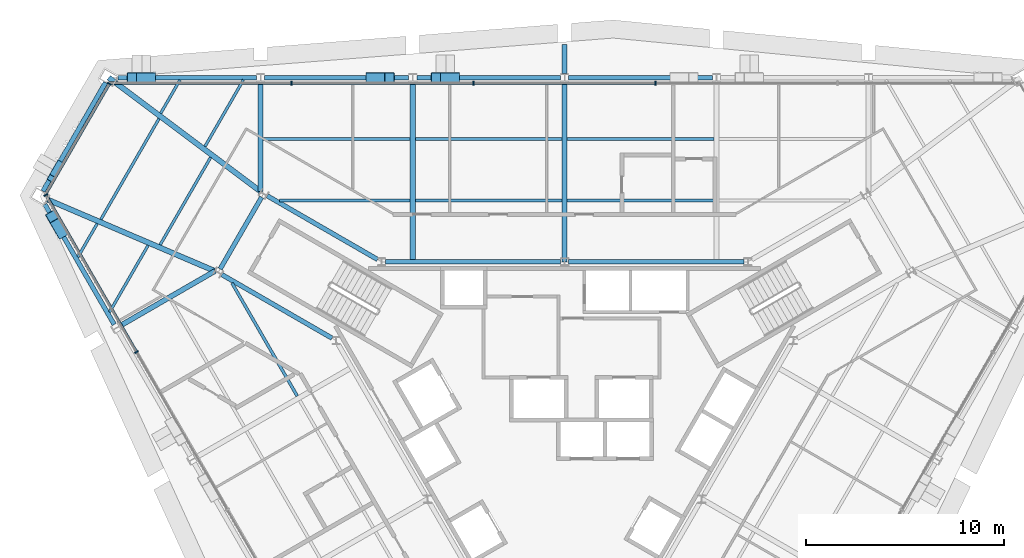
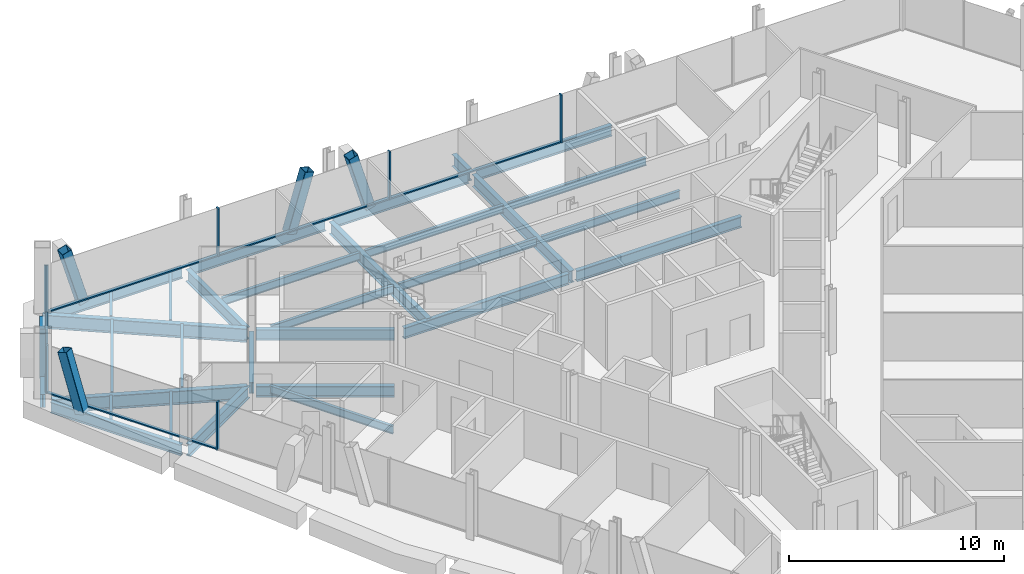
# One storey, part 5 of 13: 31 beams, 16 members, 3 elements without a shape of their own.
"""IFC4 building model written with IfcOpenShell, lengths in metres."""

from ifc_helpers import new_model, si_unit, direction, frame, origin, origin_2d, place, context, subcontext, project, spatial, rectangle, hollow_rectangle, i_section, extrude, material, material_profile, profile_set, type_object, element, aggregate, save


model = new_model("IFC4")

# Units and contexts
model_context = context("Model", 3, precision=1e-05, world=origin(), true_north=direction((0.0, 1.0)))
body_context = subcontext(model_context, "Body", "Model", "MODEL_VIEW")
ifc_project = project(units=[si_unit("LENGTHUNIT", "METRE"), si_unit("AREAUNIT", "SQUARE_METRE"), si_unit("VOLUMEUNIT", "CUBIC_METRE"), si_unit("PLANEANGLEUNIT", "RADIAN"), si_unit("MASSUNIT", "GRAM", prefix="KILO")], contexts=[model_context])

# Site, building, storey
site_placement = place(None, origin())
site = spatial("IfcSite", under=ifc_project, at=site_placement, CompositionType="ELEMENT")
building_placement = place(site_placement, origin())
building = spatial("IfcBuilding", under=site, at=building_placement, Name="Verrane Prism Tower", CompositionType="ELEMENT")
storey_placement = place(building_placement, frame((0.0, 0.0, 167.300048828125)))
storey = spatial("IfcBuildingStorey", under=building, at=storey_placement, Name="L41", CompositionType="ELEMENT", Elevation=167.300048828125)

# Member
ifc_material_1 = material(Name="Steel A500 Grade C", Category="steel")
ifc_material_profile_1 = material_profile(ifc_material_1, hollow_rectangle(XDim=0.3046875, YDim=0.3046875, WallThickness=0.0126953125, InnerFilletRadius=0.00634765625, OuterFilletRadius=0.01904296875, at=origin_2d()), Name="HSS12x12x1/2")
ifc_profile_set_1 = profile_set([ifc_material_profile_1], Name="Steel A500 Grade C")
member_type_1 = type_object("IfcMemberType", Name="Chamfer brace HSS12x12x1/2", PredefinedType="BRACE", material=ifc_profile_set_1)
member_1_placement = place(storey_placement, frame((-25.56103515625, 12.948486328125, -0.24267578125), z_axis=(-0.129064575456, -0.224136834743, 0.965973609719), x_axis=(0.866595547107, -0.499011179969, 0.0)))
element("IfcMember", 1, at=member_1_placement, inside=storey, type_object=member_type_1, Name="Chamfer brace NW0 L41", PredefinedType="BRACE", context=body_context, shape_type="SweptSolid", body=[
    extrude(hollow_rectangle(XDim=0.3046875, YDim=0.3046875, WallThickness=0.0126953125, InnerFilletRadius=0.00634765625, OuterFilletRadius=0.01904296875, at=origin_2d()), origin(), (0.0, 0.0, 1.0), 3.217529296875),
])

# Beams
ifc_material_2 = material(Name="Steel A992", Category="steel")
ifc_material_profile_2 = material_profile(ifc_material_2, i_section(OverallWidth=0.2666015625, OverallDepth=0.7568359375, WebThickness=0.013916015625, FlangeThickness=0.019287109375, FilletRadius=0.0166015625, at=origin_2d()), Name="W30x108")
ifc_profile_set_2 = profile_set([ifc_material_profile_2], Name="Steel A992")
beam_type_1 = type_object("IfcBeamType", Name="Chamfer spandrel beam W30x108", PredefinedType="SPANDREL", material=ifc_profile_set_2)
beam_1_placement = place(storey_placement, frame((-23.19970703125, 17.050048828125, -0.53857421875), z_axis=(-0.498933745764, -0.866640131391, 0.0), x_axis=(0.866640131391, -0.498933745764, 0.0)))
element("IfcBeam", 2, at=beam_1_placement, inside=storey, type_object=beam_type_1, Name="Chamfer spandrel beam L41", PredefinedType="SPANDREL", context=body_context, shape_type="SweptSolid", body=[
    extrude(i_section(OverallWidth=0.2666015625, OverallDepth=0.7568359375, WebThickness=0.013916015625, FlangeThickness=0.019287109375, FilletRadius=0.0166015625, at=origin_2d()), origin(), (0.0, 0.0, 1.0), 6.334716796875),
])
ifc_material_3 = material(Name="Steel A992", Category="steel")
ifc_material_profile_3 = material_profile(ifc_material_3, i_section(OverallWidth=0.23046875, OverallDepth=0.6171875, WebThickness=0.01318359375, FlangeThickness=0.022216796875, FilletRadius=0.012939453125, at=origin_2d()), Name="W24x94")
ifc_profile_set_3 = profile_set([ifc_material_profile_3], Name="Steel A992")
beam_type_2 = type_object("IfcBeamType", Name="Core ring girder W24x94", PredefinedType="BEAM", material=ifc_profile_set_3)
for number, where, z_axis, x_axis, name in (
    (3, (9.059326171875, 8.0, -0.55859375), (-1.0, 0.0, 0.0), (0.0, -1.0, 0.0), "Core ring girder L41"),
    (4, (-0.20068359375, 8.0, -0.55859375), (-1.0, 0.0, 0.0), (0.0, -1.0, 0.0), "Core ring girder L41"),
):
    element("IfcBeam", number, at=place(storey_placement, frame(where, z_axis=z_axis, x_axis=x_axis)), inside=storey, type_object=beam_type_2, Name=name, PredefinedType="BEAM", context=body_context, shape_type="SweptSolid", body=[
        extrude(i_section(OverallWidth=0.23046875, OverallDepth=0.6171875, WebThickness=0.01318359375, FlangeThickness=0.022216796875, FilletRadius=0.012939453125, at=origin_2d()), origin(), (0.0, 0.0, 1.0), 8.858642578125),
    ])
beam_2_placement = place(storey_placement, frame((-9.460693359375, 8.11572265625, -0.55859375), z_axis=(-0.866075143088, 0.499913839102, 0.0), x_axis=(-0.499913839102, -0.866075143088, 0.0)))
element("IfcBeam", 5, at=beam_2_placement, inside=storey, type_object=beam_type_2, Name="Core ring girder L41", PredefinedType="BEAM", context=body_context, shape_type="SweptSolid", body=[
    extrude(i_section(OverallWidth=0.23046875, OverallDepth=0.6171875, WebThickness=0.01318359375, FlangeThickness=0.022216796875, FilletRadius=0.012939453125, at=origin_2d()), origin(), (0.0, 0.0, 1.0), 6.441650390625),
])
beam_3_placement = place(storey_placement, frame((-15.32177734375, 11.26416015625, -0.55859375), z_axis=(-0.500305747711, -0.865848808284, 0.0), x_axis=(0.865848808284, -0.500305747711, 0.0)))
element("IfcBeam", 6, at=beam_3_placement, inside=storey, type_object=beam_type_2, Name="Core ring girder L41", PredefinedType="BEAM", context=body_context, shape_type="SweptSolid", body=[
    extrude(i_section(OverallWidth=0.23046875, OverallDepth=0.6171875, WebThickness=0.01318359375, FlangeThickness=0.022216796875, FilletRadius=0.012939453125, at=origin_2d()), origin(), (0.0, 0.0, 1.0), 4.1904296875),
])
beam_4_placement = place(storey_placement, frame((-17.339599609375, 7.35595703125, -0.55859375), z_axis=(0.866075143088, -0.499913839102, 0.0), x_axis=(0.499913839102, 0.866075143088, 0.0)))
element("IfcBeam", 7, at=beam_4_placement, inside=storey, type_object=beam_type_2, Name="Core ring girder L41", PredefinedType="BEAM", context=body_context, shape_type="SweptSolid", body=[
    extrude(i_section(OverallWidth=0.23046875, OverallDepth=0.6171875, WebThickness=0.01318359375, FlangeThickness=0.022216796875, FilletRadius=0.012939453125, at=origin_2d()), origin(), (0.0, 0.0, 1.0), 6.441650390625),
])
ifc_material_4 = material(Name="Steel A992", Category="steel")
ifc_material_profile_4 = material_profile(ifc_material_4, i_section(OverallWidth=0.2666015625, OverallDepth=0.76708984375, WebThickness=0.014892578125, FlangeThickness=0.023681640625, FilletRadius=0.0166015625, at=origin_2d()), Name="W30x124")
ifc_profile_set_4 = profile_set([ifc_material_profile_4], Name="Steel A992")
beam_type_3 = type_object("IfcBeamType", Name="Corner girder W30x124", PredefinedType="BEAM", material=ifc_profile_set_4)
beam_5_placement = place(storey_placement, frame((-23.048583984375, 17.308837890625, -0.603515625), z_axis=(0.800128499961, -0.599828628485, 0.0), x_axis=(0.599828628485, 0.800128499961, 0.0)))
element("IfcBeam", 8, at=beam_5_placement, inside=storey, type_object=beam_type_3, Name="Corner girder L41", PredefinedType="BEAM", context=body_context, shape_type="SweptSolid", body=[
    extrude(i_section(OverallWidth=0.2666015625, OverallDepth=0.76708984375, WebThickness=0.014892578125, FlangeThickness=0.023681640625, FilletRadius=0.0166015625, at=origin_2d()), origin(), (0.0, 0.0, 1.0), 9.57421875),
])
beam_6_placement = place(storey_placement, frame((-26.139404296875, 11.1416015625, -0.603515625), z_axis=(0.919628068882, -0.392790293827, 0.0), x_axis=(0.392790293827, 0.919628068882, 0.0)))
element("IfcBeam", 9, at=beam_6_placement, inside=storey, type_object=beam_type_3, Name="Corner girder L41", PredefinedType="BEAM", context=body_context, shape_type="SweptSolid", body=[
    extrude(i_section(OverallWidth=0.2666015625, OverallDepth=0.76708984375, WebThickness=0.014892578125, FlangeThickness=0.023681640625, FilletRadius=0.0166015625, at=origin_2d()), origin(), (0.0, 0.0, 1.0), 9.162841796875),
])

# Members
ifc_material_5 = material(Name="Steel A500 Grade C", Category="steel")
ifc_material_profile_5 = material_profile(ifc_material_5, hollow_rectangle(XDim=0.508056640625, YDim=0.508056640625, WallThickness=0.01904296875, InnerFilletRadius=0.009521484375, OuterFilletRadius=0.028564453125, at=origin_2d()), Name="HSS20x20x3/4")
ifc_profile_set_5 = profile_set([ifc_material_profile_5], Name="Steel A500 Grade C")
member_type_2 = type_object("IfcMemberType", Name="Facade brace HSS20x20x3/4", PredefinedType="BRACE", material=ifc_profile_set_5)
member_2_placement = place(storey_placement, frame((-5.560302734375, 17.31005859375, -0.216796875), z_axis=(-0.284350116843, 0.0, 0.958720507265), x_axis=(0.0, -1.0, 0.0)))
element("IfcMember", 10, at=member_2_placement, inside=storey, type_object=member_type_2, Name="Facade brace N3 L41", PredefinedType="BRACE", context=body_context, shape_type="SweptSolid", body=[
    extrude(hollow_rectangle(XDim=0.508056640625, YDim=0.508056640625, WallThickness=0.01904296875, InnerFilletRadius=0.009521484375, OuterFilletRadius=0.028564453125, at=origin_2d()), origin(), (0.0, 0.0, 1.0), 3.333984375),
])
member_3_placement = place(storey_placement, frame((-9.802490234375, 17.31005859375, -0.216796875), z_axis=(0.284619317287, 0.0, 0.958640623084), x_axis=(0.0, 1.0, 0.0)))
element("IfcMember", 11, at=member_3_placement, inside=storey, type_object=member_type_2, Name="Facade brace N4 L41", PredefinedType="BRACE", context=body_context, shape_type="SweptSolid", body=[
    extrude(hollow_rectangle(XDim=0.508056640625, YDim=0.508056640625, WallThickness=0.01904296875, InnerFilletRadius=0.009521484375, OuterFilletRadius=0.028564453125, at=origin_2d()), origin(), (0.0, 0.0, 1.0), 3.334228515625),
])
for number, where, z_axis, x_axis, name in (
    (12, (-20.930419921875, 17.31005859375, -0.216796875), (-0.284282806219, 0.0, 0.958740468578), (0.0, -1.0, 0.0), "Facade brace N5 L41"),
    (13, (-25.4501953125, 9.464599609375, -0.216796875), (-0.142141174047, 0.246202280858, 0.958738923556), (-0.866031159827, -0.499990030109, 0.0), "Facade brace SW0 L41"),
):
    element("IfcMember", number, at=place(storey_placement, frame(where, z_axis=z_axis, x_axis=x_axis)), inside=storey, type_object=member_type_2, Name=name, PredefinedType="BRACE", context=body_context, shape_type="SweptSolid", body=[
        extrude(hollow_rectangle(XDim=0.508056640625, YDim=0.508056640625, WallThickness=0.01904296875, InnerFilletRadius=0.009521484375, OuterFilletRadius=0.028564453125, at=origin_2d()), origin(), (0.0, 0.0, 1.0), 3.333740234375),
    ])

# Beams
ifc_material_6 = material(Name="Steel A992", Category="steel")
ifc_material_profile_6 = material_profile(ifc_material_6, i_section(OverallWidth=0.140380859375, OverallDepth=0.40380859375, WebThickness=0.007080078125, FlangeThickness=0.01123046875, FilletRadius=0.01025390625, at=origin_2d()), Name="W16x31")
ifc_profile_set_6 = profile_set([ifc_material_profile_6], Name="Steel A992")
beam_type_4 = type_object("IfcBeamType", Name="Floor beam W16x31", PredefinedType="BEAM", material=ifc_profile_set_6)
beam_7_placement = place(storey_placement, frame((-18.18505859375, 13.828125, -0.362060546875), z_axis=(0.499988811324, 0.866031863473, 0.0), x_axis=(-0.866031863473, 0.499988811324, 0.0)))
element("IfcBeam", 14, at=beam_7_placement, inside=storey, type_object=beam_type_4, Name="Floor beam L41", PredefinedType="BEAM", context=body_context, shape_type="SweptSolid", body=[
    extrude(i_section(OverallWidth=0.140380859375, OverallDepth=0.40380859375, WebThickness=0.007080078125, FlangeThickness=0.01123046875, FilletRadius=0.01025390625, at=origin_2d()), origin(), (0.0, 0.0, 1.0), 3.8876953125),
])
beam_8_placement = place(storey_placement, frame((-20.4228515625, 15.50634765625, -0.362060546875), z_axis=(0.49995005938, 0.866054235095, 0.0), x_axis=(-0.866054235095, 0.49995005938, 0.0)))
element("IfcBeam", 15, at=beam_8_placement, inside=storey, type_object=beam_type_4, Name="Floor beam L41", PredefinedType="BEAM", context=body_context, shape_type="SweptSolid", body=[
    extrude(i_section(OverallWidth=0.140380859375, OverallDepth=0.40380859375, WebThickness=0.007080078125, FlangeThickness=0.01123046875, FilletRadius=0.01025390625, at=origin_2d()), origin(), (0.0, 0.0, 1.0), 1.949951171875),
])
beam_9_placement = place(storey_placement, frame((-23.00537109375, 5.460693359375, -0.362060546875), z_axis=(0.500001430823, 0.866024577697, 0.0), x_axis=(-0.866024577697, 0.500001430823, 0.0)))
element("IfcBeam", 16, at=beam_9_placement, inside=storey, type_object=beam_type_4, Name="Floor beam L41", PredefinedType="BEAM", context=body_context, shape_type="SweptSolid", body=[
    extrude(i_section(OverallWidth=0.140380859375, OverallDepth=0.40380859375, WebThickness=0.007080078125, FlangeThickness=0.01123046875, FilletRadius=0.01025390625, at=origin_2d()), origin(), (0.0, 0.0, 1.0), 3.888671875),
])
beam_10_placement = place(storey_placement, frame((-24.60888671875, 8.23779296875, -0.362060546875), z_axis=(0.499935549689, 0.866062610991, 0.0), x_axis=(-0.866062610991, 0.499935549689, 0.0)))
element("IfcBeam", 17, at=beam_10_placement, inside=storey, type_object=beam_type_4, Name="Floor beam L41", PredefinedType="BEAM", context=body_context, shape_type="SweptSolid", body=[
    extrude(i_section(OverallWidth=0.140380859375, OverallDepth=0.40380859375, WebThickness=0.007080078125, FlangeThickness=0.01123046875, FilletRadius=0.01025390625, at=origin_2d()), origin(), (0.0, 0.0, 1.0), 1.950439453125),
])
beam_11_placement = place(storey_placement, frame((-20.450439453125, 8.85791015625, -0.362060546875), z_axis=(0.499991534382, 0.866030291356, 0.0), x_axis=(-0.866030291356, 0.499991534382, 0.0)))
element("IfcBeam", 18, at=beam_11_placement, inside=storey, type_object=beam_type_4, Name="Floor beam L41", PredefinedType="BEAM", context=body_context, shape_type="SweptSolid", body=[
    extrude(i_section(OverallWidth=0.140380859375, OverallDepth=0.40380859375, WebThickness=0.007080078125, FlangeThickness=0.01123046875, FilletRadius=0.01025390625, at=origin_2d()), origin(), (0.0, 0.0, 1.0), 5.10498046875),
])
beam_12_placement = place(storey_placement, frame((-23.450439453125, 10.138916015625, -0.362060546875), z_axis=(0.499984561422, 0.866034317068, 0.0), x_axis=(-0.866034317068, 0.499984561422, 0.0)))
element("IfcBeam", 19, at=beam_12_placement, inside=storey, type_object=beam_type_4, Name="Floor beam L41", PredefinedType="BEAM", context=body_context, shape_type="SweptSolid", body=[
    extrude(i_section(OverallWidth=0.140380859375, OverallDepth=0.40380859375, WebThickness=0.007080078125, FlangeThickness=0.01123046875, FilletRadius=0.01025390625, at=origin_2d()), origin(), (0.0, 0.0, 1.0), 5.885986328125),
])
ifc_material_7 = material(Name="Steel A992", Category="steel")
ifc_material_profile_7 = material_profile(ifc_material_7, i_section(OverallWidth=0.15234375, OverallDepth=0.449462890625, WebThickness=0.007568359375, FlangeThickness=0.0107421875, FilletRadius=0.01025390625, at=origin_2d()), Name="W18x35")
ifc_profile_set_7 = profile_set([ifc_material_profile_7], Name="Steel A992")
beam_type_5 = type_object("IfcBeamType", Name="Floor beam W18x35", PredefinedType="BEAM", material=ifc_profile_set_7)
for number, where, z_axis, x_axis, name in (
    (20, (0.126953125, 11.103271484375, -0.384765625), (1.0, 0.0, 0.0), (0.0, 1.0, 0.0), "Floor beam L41"),
    (21, (0.126953125, 14.206787109375, -0.384765625), (1.0, 0.0, 0.0), (0.0, 1.0, 0.0), "Floor beam L41"),
    (22, (-7.552978515625, 11.103271484375, -0.384765625), (1.0, 0.0, 0.0), (0.0, 1.0, 0.0), "Floor beam L41"),
    (23, (-7.552978515625, 14.206787109375, -0.384765625), (1.0, 0.0, 0.0), (0.0, 1.0, 0.0), "Floor beam L41"),
):
    element("IfcBeam", number, at=place(storey_placement, frame(where, z_axis=z_axis, x_axis=x_axis)), inside=storey, type_object=beam_type_5, Name=name, PredefinedType="BEAM", context=body_context, shape_type="SweptSolid", body=[
        extrude(i_section(OverallWidth=0.15234375, OverallDepth=0.449462890625, WebThickness=0.007568359375, FlangeThickness=0.0107421875, FilletRadius=0.01025390625, at=origin_2d()), origin(), (0.0, 0.0, 1.0), 7.426025390625),
    ])
beam_13_placement = place(storey_placement, frame((-14.40673828125, 11.103271484375, -0.384765625), z_axis=(1.0, 0.0, 0.0), x_axis=(0.0, 1.0, 0.0)))
element("IfcBeam", 24, at=beam_13_placement, inside=storey, type_object=beam_type_5, Name="Floor beam L41", PredefinedType="BEAM", context=body_context, shape_type="SweptSolid", body=[
    extrude(i_section(OverallWidth=0.15234375, OverallDepth=0.449462890625, WebThickness=0.007568359375, FlangeThickness=0.0107421875, FilletRadius=0.01025390625, at=origin_2d()), origin(), (0.0, 0.0, 1.0), 6.599853515625),
])
beam_14_placement = place(storey_placement, frame((-15.242919921875, 14.206787109375, -0.384765625), z_axis=(1.0, 0.0, 0.0), x_axis=(0.0, 1.0, 0.0)))
element("IfcBeam", 25, at=beam_14_placement, inside=storey, type_object=beam_type_5, Name="Floor beam L41", PredefinedType="BEAM", context=body_context, shape_type="SweptSolid", body=[
    extrude(i_section(OverallWidth=0.15234375, OverallDepth=0.449462890625, WebThickness=0.007568359375, FlangeThickness=0.0107421875, FilletRadius=0.01025390625, at=origin_2d()), origin(), (0.0, 0.0, 1.0), 7.43603515625),
])
beam_15_placement = place(storey_placement, frame((-13.519775390625, 1.210205078125, -0.384765625), z_axis=(-0.500012988063, 0.866017904993, 0.0), x_axis=(-0.866017904993, -0.500012988063, 0.0)))
element("IfcBeam", 26, at=beam_15_placement, inside=storey, type_object=beam_type_5, Name="Floor beam L41", PredefinedType="BEAM", context=body_context, shape_type="SweptSolid", body=[
    extrude(i_section(OverallWidth=0.15234375, OverallDepth=0.449462890625, WebThickness=0.007568359375, FlangeThickness=0.0107421875, FilletRadius=0.01025390625, at=origin_2d()), origin(), (0.0, 0.0, 1.0), 6.594970703125),
])

# Curtain wall, members
ifc_material_8 = material(Name="Aluminium framed insulated glazing", Category="aluminium")
curtain_wall_type = type_object("IfcCurtainWallType", Name="Curtain wall CW-A 8400 module", PredefinedType="NOTDEFINED", material=ifc_material_8)
curtain_wall_1_placement = place(storey_placement, origin())
curtain_wall_1 = element("IfcCurtainWall", 27, at=curtain_wall_1_placement, inside=storey, type_object=curtain_wall_type, Name="Glazed curtain wall north face L41", PredefinedType="NOTDEFINED")
ifc_material_9 = material(Name="Aluminium alloy 6063-T6", Category="aluminium")
ifc_material_profile_8 = material_profile(ifc_material_9, rectangle(XDim=0.199951171875, YDim=0.070068359375, at=origin_2d()), Name="Mullion 70x200 aluminium")
ifc_profile_set_8 = profile_set([ifc_material_profile_8], Name="Aluminium alloy 6063-T6")
member_type_3 = type_object("IfcMemberType", Name="Mullion 70x200 aluminium", PredefinedType="MULLION", material=ifc_profile_set_8)
member_4_placement = place(storey_placement, frame((4.600830078125, 17.031005859375, 0.0), z_axis=(0.0, 0.0, 1.0), x_axis=(0.0, -1.0, 0.0)))
member_4 = element("IfcMember", 28, at=member_4_placement, type_object=member_type_3, Name="CW39.2 mullion 3", PredefinedType="MULLION", context=body_context, shape_type="SweptSolid", body=[
    extrude(rectangle(XDim=0.199951171875, YDim=0.070068359375, at=origin_2d()), origin(), (0.0, 0.0, 1.0), 2.712890625),
])
member_5_placement = place(storey_placement, frame((-4.600830078125, 17.031005859375, 0.0), z_axis=(0.0, 0.0, 1.0), x_axis=(0.0, -1.0, 0.0)))
member_5 = element("IfcMember", 29, at=member_5_placement, type_object=member_type_3, Name="CW39.2 mullion 4", PredefinedType="MULLION", context=body_context, shape_type="SweptSolid", body=[
    extrude(rectangle(XDim=0.199951171875, YDim=0.070068359375, at=origin_2d()), origin(), (0.0, 0.0, 1.0), 2.712890625),
])
member_6_placement = place(storey_placement, frame((-13.802490234375, 17.031005859375, 0.0), z_axis=(0.0, 0.0, 1.0), x_axis=(0.0, -1.0, 0.0)))
member_6 = element("IfcMember", 30, at=member_6_placement, type_object=member_type_3, Name="CW39.2 mullion 5", PredefinedType="MULLION", context=body_context, shape_type="SweptSolid", body=[
    extrude(rectangle(XDim=0.199951171875, YDim=0.070068359375, at=origin_2d()), origin(), (0.0, 0.0, 1.0), 2.712890625),
])

# Curtain wall, member
curtain_wall_2_placement = place(storey_placement, origin())
curtain_wall_2 = element("IfcCurtainWall", 31, at=curtain_wall_2_placement, inside=storey, type_object=curtain_wall_type, Name="Glazed curtain wall north-west corner L41", PredefinedType="NOTDEFINED")
member_7_placement = place(storey_placement, frame((-23.021484375, 17.000732421875, 0.0), z_axis=(0.0, 0.0, 1.0), x_axis=(0.866021993679, -0.50000590643, 0.0)))
member_7 = element("IfcMember", 32, at=member_7_placement, type_object=member_type_3, Name="CW39.3 mullion 1", PredefinedType="MULLION", context=body_context, shape_type="SweptSolid", body=[
    extrude(rectangle(XDim=0.199951171875, YDim=0.070068359375, at=origin_2d()), origin(), (0.0, 0.0, 1.0), 2.712890625),
])

# Curtain wall, members
curtain_wall_3_placement = place(storey_placement, origin())
curtain_wall_3 = element("IfcCurtainWall", 33, at=curtain_wall_3_placement, inside=storey, type_object=curtain_wall_type, Name="Glazed curtain wall south-west face L41", PredefinedType="NOTDEFINED")
member_8_placement = place(storey_placement, frame((-26.23388671875, 11.376220703125, 0.0), z_axis=(0.0, 0.0, 1.0), x_axis=(0.86602596468, 0.499999028499, 0.0)))
member_8 = element("IfcMember", 34, at=member_8_placement, type_object=member_type_3, Name="CW39.4 mullion 1", PredefinedType="MULLION", context=body_context, shape_type="SweptSolid", body=[
    extrude(rectangle(XDim=0.199951171875, YDim=0.070068359375, at=origin_2d()), origin(), (0.0, 0.0, 1.0), 2.712890625),
])
member_9_placement = place(storey_placement, frame((-21.650390625, 3.437744140625, 0.0), z_axis=(0.0, 0.0, 1.0), x_axis=(0.86602596468, 0.499999028499, 0.0)))
member_9 = element("IfcMember", 35, at=member_9_placement, type_object=member_type_3, Name="CW39.4 mullion 2", PredefinedType="MULLION", context=body_context, shape_type="SweptSolid", body=[
    extrude(rectangle(XDim=0.199951171875, YDim=0.070068359375, at=origin_2d()), origin(), (0.0, 0.0, 1.0), 2.712890625),
])

# Beams
ifc_material_10 = material(Name="Steel A992", Category="steel")
ifc_material_profile_9 = material_profile(ifc_material_10, i_section(OverallWidth=0.25390625, OverallDepth=0.683349609375, WebThickness=0.012451171875, FlangeThickness=0.01904296875, FilletRadius=0.01513671875, at=origin_2d()), Name="W27x94")
ifc_profile_set_9 = profile_set([ifc_material_profile_9], Name="Steel A992")
beam_type_6 = type_object("IfcBeamType", Name="Radial girder W27x94", PredefinedType="BEAM", material=ifc_profile_set_9)
for number, where, z_axis, x_axis, name in (
    (36, (0.0, 17.0927734375, -0.561767578125), (0.0, -1.0, 0.0), (1.0, 0.0, 0.0), "Radial girder L41"),
    (37, (-7.679931640625, 17.0927734375, -0.561767578125), (0.0, -1.0, 0.0), (1.0, 0.0, 0.0), "Radial girder L41"),
):
    element("IfcBeam", number, at=place(storey_placement, frame(where, z_axis=z_axis, x_axis=x_axis)), inside=storey, type_object=beam_type_6, Name=name, PredefinedType="BEAM", context=body_context, shape_type="SweptSolid", body=[
        extrude(i_section(OverallWidth=0.25390625, OverallDepth=0.683349609375, WebThickness=0.012451171875, FlangeThickness=0.01904296875, FilletRadius=0.01513671875, at=origin_2d()), origin(), (0.0, 0.0, 1.0), 9.0927734375),
    ])
beam_16_placement = place(storey_placement, frame((-15.3701171875, 17.0927734375, -0.561767578125), z_axis=(0.0, -1.0, 0.0), x_axis=(1.0, 0.0, 0.0)))
element("IfcBeam", 38, at=beam_16_placement, inside=storey, type_object=beam_type_6, Name="Radial girder L41", PredefinedType="BEAM", context=body_context, shape_type="SweptSolid", body=[
    extrude(i_section(OverallWidth=0.25390625, OverallDepth=0.683349609375, WebThickness=0.012451171875, FlangeThickness=0.01904296875, FilletRadius=0.01513671875, at=origin_2d()), origin(), (0.0, 0.0, 1.0), 5.540283203125),
])
beam_17_placement = place(storey_placement, frame((-22.48193359375, 4.758544921875, -0.561767578125), z_axis=(0.866016849815, 0.500014815617, 0.0), x_axis=(-0.500014815617, 0.866016849815, 0.0)))
element("IfcBeam", 39, at=beam_17_placement, inside=storey, type_object=beam_type_6, Name="Radial girder L41", PredefinedType="BEAM", context=body_context, shape_type="SweptSolid", body=[
    extrude(i_section(OverallWidth=0.25390625, OverallDepth=0.683349609375, WebThickness=0.012451171875, FlangeThickness=0.01904296875, FilletRadius=0.01513671875, at=origin_2d()), origin(), (0.0, 0.0, 1.0), 5.541748046875),
])
beam_18_placement = place(storey_placement, frame((0.0, 17.523193359375, -0.561767578125), z_axis=(0.0, 1.0, 0.0), x_axis=(-1.0, 0.0, 0.0)))
element("IfcBeam", 40, at=beam_18_placement, inside=storey, type_object=beam_type_6, Name="Cantilever girder L41", PredefinedType="BEAM", context=body_context, shape_type="SweptSolid", body=[
    extrude(i_section(OverallWidth=0.25390625, OverallDepth=0.683349609375, WebThickness=0.012451171875, FlangeThickness=0.01904296875, FilletRadius=0.01513671875, at=origin_2d()), origin(), (0.0, 0.0, 1.0), 1.458740234375),
])
ifc_material_11 = material(Name="Steel A992", Category="steel")
ifc_material_profile_10 = material_profile(ifc_material_11, i_section(OverallWidth=0.23046875, OverallDepth=0.6171875, WebThickness=0.01318359375, FlangeThickness=0.022216796875, FilletRadius=0.012939453125, at=origin_2d()), Name="W24x94")
ifc_profile_set_10 = profile_set([ifc_material_profile_10], Name="Steel A992")
beam_type_7 = type_object("IfcBeamType", Name="Spandrel beam W24x94", PredefinedType="SPANDREL", material=ifc_profile_set_10)
for number, where, z_axis, x_axis, name in (
    (41, (7.474365234375, 17.31005859375, -0.46875), (-1.0, 0.0, 0.0), (0.0, -1.0, 0.0), "Spandrel beam L41"),
    (42, (-0.205810546875, 17.31005859375, -0.46875), (-1.0, 0.0, 0.0), (0.0, -1.0, 0.0), "Spandrel beam L41"),
):
    element("IfcBeam", number, at=place(storey_placement, frame(where, z_axis=z_axis, x_axis=x_axis)), inside=storey, type_object=beam_type_7, Name=name, PredefinedType="SPANDREL", context=body_context, shape_type="SweptSolid", body=[
        extrude(i_section(OverallWidth=0.23046875, OverallDepth=0.6171875, WebThickness=0.01318359375, FlangeThickness=0.022216796875, FilletRadius=0.012939453125, at=origin_2d()), origin(), (0.0, 0.0, 1.0), 7.2685546875),
    ])
beam_19_placement = place(storey_placement, frame((-7.8857421875, 17.31005859375, -0.46875), z_axis=(-1.0, 0.0, 0.0), x_axis=(0.0, -1.0, 0.0)))
element("IfcBeam", 43, at=beam_19_placement, inside=storey, type_object=beam_type_7, Name="Spandrel beam L41", PredefinedType="SPANDREL", context=body_context, shape_type="SweptSolid", body=[
    extrude(i_section(OverallWidth=0.23046875, OverallDepth=0.6171875, WebThickness=0.01318359375, FlangeThickness=0.022216796875, FilletRadius=0.012939453125, at=origin_2d()), origin(), (0.0, 0.0, 1.0), 7.278564453125),
])
beam_20_placement = place(storey_placement, frame((-15.57568359375, 17.31005859375, -0.46875), z_axis=(-1.0, 0.0, 0.0), x_axis=(0.0, -1.0, 0.0)))
element("IfcBeam", 44, at=beam_20_placement, inside=storey, type_object=beam_type_7, Name="Spandrel beam L41", PredefinedType="SPANDREL", context=body_context, shape_type="SweptSolid", body=[
    extrude(i_section(OverallWidth=0.23046875, OverallDepth=0.6171875, WebThickness=0.01318359375, FlangeThickness=0.022216796875, FilletRadius=0.012939453125, at=origin_2d()), origin(), (0.0, 0.0, 1.0), 7.012451171875),
])
beam_21_placement = place(storey_placement, frame((-26.279052734375, 10.89990234375, -0.46875), z_axis=(0.5000600333, -0.865990740768, 0.0), x_axis=(0.865990740768, 0.5000600333, 0.0)))
element("IfcBeam", 45, at=beam_21_placement, inside=storey, type_object=beam_type_7, Name="Spandrel beam L41", PredefinedType="SPANDREL", context=body_context, shape_type="SweptSolid", body=[
    extrude(i_section(OverallWidth=0.23046875, OverallDepth=0.6171875, WebThickness=0.01318359375, FlangeThickness=0.022216796875, FilletRadius=0.012939453125, at=origin_2d()), origin(), (0.0, 0.0, 1.0), 7.011474609375),
])

# Member
ifc_material_12 = material(Name="Aluminium alloy 6063-T6", Category="aluminium")
ifc_material_profile_11 = material_profile(ifc_material_12, rectangle(XDim=0.14990234375, YDim=0.070068359375, at=origin_2d()), Name="Transom 70x150 aluminium")
ifc_profile_set_11 = profile_set([ifc_material_profile_11], Name="Aluminium alloy 6063-T6")
member_type_4 = type_object("IfcMemberType", Name="Transom 70x150 aluminium", PredefinedType="USERDEFINED", material=ifc_profile_set_11)
member_10_placement = place(storey_placement, frame((4.56591796875, 17.031005859375, 0.034912109375), z_axis=(-1.0, 0.0, 0.0), x_axis=(0.0, -1.0, 0.0)))
member_10 = element("IfcMember", 46, at=member_10_placement, type_object=member_type_4, Name="CW39.2 transom 3", ObjectType="TRANSOM", PredefinedType="USERDEFINED", context=body_context, shape_type="SweptSolid", body=[
    extrude(rectangle(XDim=0.14990234375, YDim=0.070068359375, at=origin_2d()), origin(), (0.0, 0.0, 1.0), 9.1318359375),
])

member_11_placement = place(storey_placement, frame((-4.6357421875, 17.031005859375, 0.034912109375), z_axis=(-1.0, 0.0, 0.0), x_axis=(0.0, -1.0, 0.0)))
member_11 = element("IfcMember", 47, at=member_11_placement, type_object=member_type_4, Name="CW39.2 transom 4", ObjectType="TRANSOM", PredefinedType="USERDEFINED", context=body_context, shape_type="SweptSolid", body=[
    extrude(rectangle(XDim=0.14990234375, YDim=0.070068359375, at=origin_2d()), origin(), (0.0, 0.0, 1.0), 9.131591796875),
])

member_12_placement = place(storey_placement, frame((-13.83740234375, 17.031005859375, 0.034912109375), z_axis=(-1.0, 0.0, 0.0), x_axis=(0.0, -1.0, 0.0)))
member_12 = element("IfcMember", 48, at=member_12_placement, type_object=member_type_4, Name="CW39.2 transom 5", ObjectType="TRANSOM", PredefinedType="USERDEFINED", context=body_context, shape_type="SweptSolid", body=[
    extrude(rectangle(XDim=0.14990234375, YDim=0.070068359375, at=origin_2d()), origin(), (0.0, 0.0, 1.0), 9.16650390625),
])

aggregate(curtain_wall_1, [member_4, member_5, member_6, member_10, member_11, member_12])

member_13_placement = place(storey_placement, frame((-23.0390625, 16.970458984375, 0.034912109375), z_axis=(-0.499976839226, -0.86603877525, 0.0), x_axis=(0.86603877525, -0.499976839226, 0.0)))
member_13 = element("IfcMember", 49, at=member_13_placement, type_object=member_type_4, Name="CW39.3 transom 1", ObjectType="TRANSOM", PredefinedType="USERDEFINED", context=body_context, shape_type="SweptSolid", body=[
    extrude(rectangle(XDim=0.14990234375, YDim=0.070068359375, at=origin_2d()), origin(), (0.0, 0.0, 1.0), 6.424560546875),
])

aggregate(curtain_wall_2, [member_7, member_13])

member_14_placement = place(storey_placement, frame((-26.21630859375, 11.345947265625, 0.034912109375), z_axis=(0.500001238203, -0.866024688907, 0.0), x_axis=(0.866024688907, 0.500001238203, 0.0)))
member_14 = element("IfcMember", 50, at=member_14_placement, type_object=member_type_4, Name="CW39.4 transom 1", ObjectType="TRANSOM", PredefinedType="USERDEFINED", context=body_context, shape_type="SweptSolid", body=[
    extrude(rectangle(XDim=0.14990234375, YDim=0.070068359375, at=origin_2d()), origin(), (0.0, 0.0, 1.0), 9.0966796875),
])

aggregate(curtain_wall_3, [member_8, member_9, member_14])

save(model, "model.ifc")
